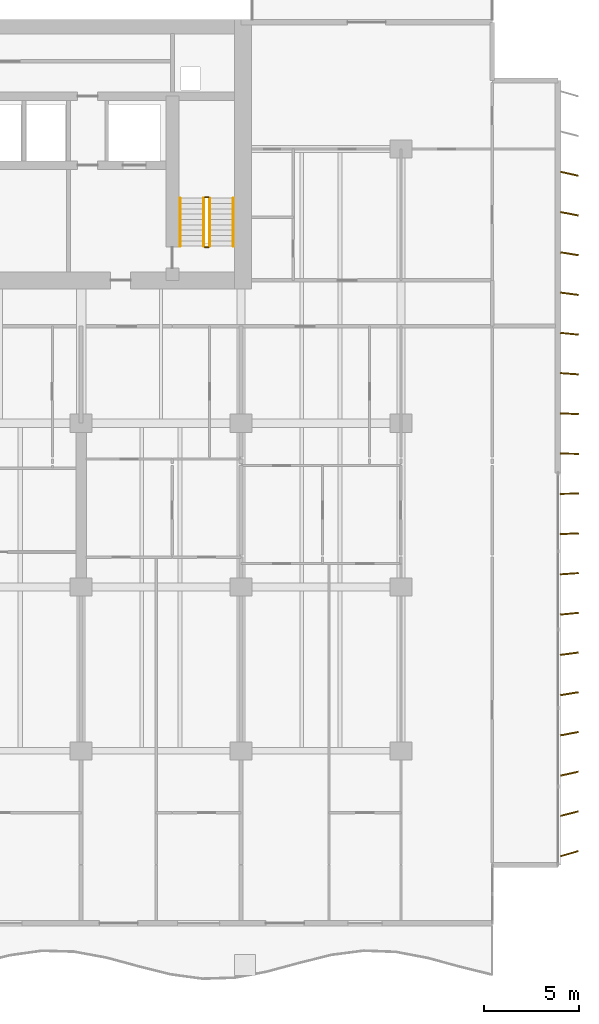
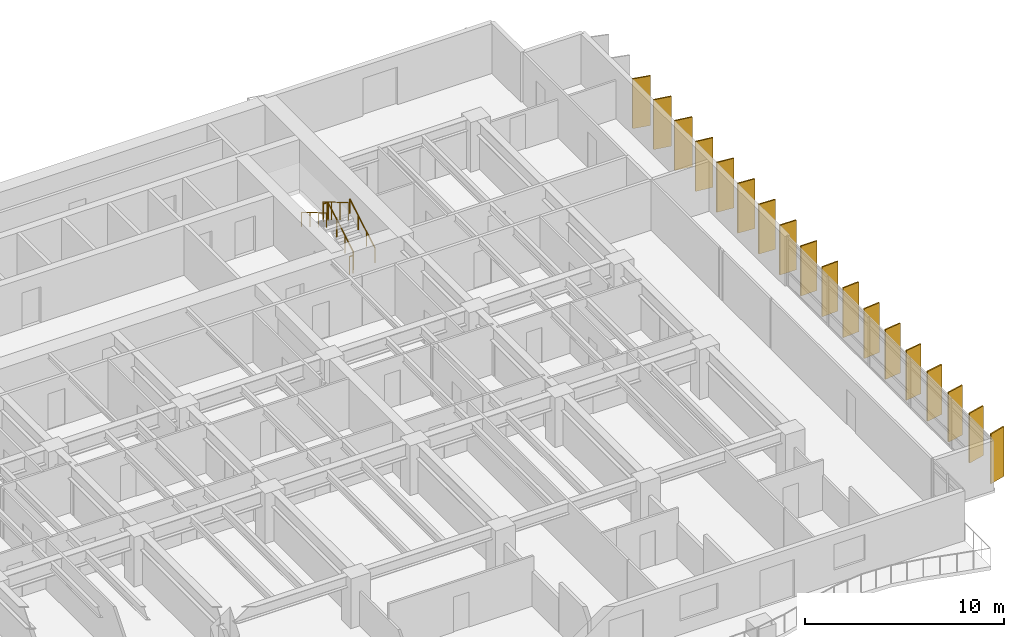
# One storey, part 16 of 17: 18 shading devices, 6 railings.
"""IFC4 building model written with IfcOpenShell, lengths in metres."""

from ifc_helpers import new_model, si_unit, direction, frame, origin, origin_2d, place, context, subcontext, project, spatial, rectangle, circle, extrude, material, material_profile, profile_set, type_object, element, save


model = new_model("IFC4")

# Units and contexts
model_context = context("Model", 3, precision=1e-05, world=origin(), true_north=direction((0.0, 1.0)))
body_context = subcontext(model_context, "Body", "Model", "MODEL_VIEW")
ifc_project = project(units=[si_unit("LENGTHUNIT", "METRE"), si_unit("AREAUNIT", "SQUARE_METRE"), si_unit("VOLUMEUNIT", "CUBIC_METRE"), si_unit("PLANEANGLEUNIT", "RADIAN"), si_unit("MASSUNIT", "GRAM", prefix="KILO")], contexts=[model_context])

# Site, building, storey
site_placement = place(None, origin())
site = spatial("IfcSite", under=ifc_project, at=site_placement, CompositionType="ELEMENT")
building_placement = place(site_placement, origin())
building = spatial("IfcBuilding", under=site, at=building_placement, Name="Caelmar Bay Residences", CompositionType="ELEMENT")
storey_placement = place(building_placement, frame((0.0, 0.0, 33.300048828125)))
storey = spatial("IfcBuildingStorey", under=building, at=storey_placement, Name="L07", CompositionType="ELEMENT", Elevation=33.300048828125)

# Railings
ifc_material_1 = material(Name="Painted galvanized steel stair guard 1100 mm", Category="steel")
railing_type_1 = type_object("IfcRailingType", Name="RL-GRD-1100", PredefinedType="GUARDRAIL", material=ifc_material_1)
railing_1_placement = place(storey_placement, frame((57.85009765625, 38.699951171875, 0.1650390625)))
element("IfcRailing", 1, at=railing_1_placement, inside=storey, type_object=railing_type_1, Name="L07 ST2 stair guard 1", PredefinedType="GUARDRAIL", context=body_context, shape_type="SweptSolid", body=[
    extrude(circle(Radius=0.02392578125, at=origin_2d()), frame((0.0, 0.0, 1.076171875), z_axis=(0.0, 0.861560626758, 0.507654692109), x_axis=(-1.0, 0.0, 0.0)), (0.0, 0.0, 1.0), 2.925048828125),
    extrude(circle(Radius=0.02099609375, at=origin_2d()), origin(), (0.0, 0.0, 1.0), 1.052001953125),
    extrude(circle(Radius=0.02099609375, at=origin_2d()), frame((0.0, 0.840087890625, 0.494873046875)), (0.0, 0.0, 1.0), 1.052001953125),
    extrude(circle(Radius=0.02099609375, at=origin_2d()), frame((0.0, 1.679931640625, 0.989990234375)), (0.0, 0.0, 1.0), 1.052001953125),
    extrude(circle(Radius=0.02099609375, at=origin_2d()), frame((0.0, 2.52001953125, 1.48486328125)), (0.0, 0.0, 1.0), 1.052001953125),
])
railing_2_placement = place(storey_placement, frame((57.800048828125, 41.27001953125, 1.64990234375)))
element("IfcRailing", 2, at=railing_2_placement, inside=storey, type_object=railing_type_1, Name="L07 ST2 stair guard 2", PredefinedType="GUARDRAIL", context=body_context, shape_type="SweptSolid", body=[
    extrude(circle(Radius=0.02392578125, at=origin_2d()), frame((0.0, 0.0, 1.076171875), z_axis=(-1.0, 0.0, 0.0), x_axis=(0.0, -1.0, 0.0)), (0.0, 0.0, 1.0), 0.199951171875),
    extrude(circle(Radius=0.02099609375, at=origin_2d()), origin(), (0.0, 0.0, 1.0), 1.052001953125),
    extrude(circle(Radius=0.02099609375, at=origin_2d()), frame((-0.199951171875, 0.0, 0.0)), (0.0, 0.0, 1.0), 1.052001953125),
])
railing_3_placement = place(storey_placement, frame((57.550048828125, 41.219970703125, 1.81494140625)))
element("IfcRailing", 3, at=railing_3_placement, inside=storey, type_object=railing_type_1, Name="L07 ST2 stair guard 3", PredefinedType="GUARDRAIL", context=body_context, shape_type="SweptSolid", body=[
    extrude(circle(Radius=0.02392578125, at=origin_2d()), frame((0.0, 0.0, 1.076171875), z_axis=(0.0, -0.86152411907, 0.507716645641), x_axis=(1.0, 0.0, 0.0)), (0.0, 0.0, 1.0), 2.925048828125),
    extrude(circle(Radius=0.02099609375, at=origin_2d()), origin(), (0.0, 0.0, 1.0), 1.052001953125),
    extrude(circle(Radius=0.02099609375, at=origin_2d()), frame((0.0, -0.840087890625, 0.4951171875)), (0.0, 0.0, 1.0), 1.052001953125),
    extrude(circle(Radius=0.02099609375, at=origin_2d()), frame((0.0, -1.679931640625, 0.989990234375)), (0.0, 0.0, 1.0), 1.052001953125),
    extrude(circle(Radius=0.02099609375, at=origin_2d()), frame((0.0, -2.52001953125, 1.485107421875)), (0.0, 0.0, 1.0), 1.052001953125),
])
railing_4_placement = place(storey_placement, frame((57.800048828125, 38.64990234375, 0.0)))
element("IfcRailing", 4, at=railing_4_placement, inside=storey, type_object=railing_type_1, Name="L07 ST2 stair guard 4", PredefinedType="GUARDRAIL", context=body_context, shape_type="SweptSolid", body=[
    extrude(circle(Radius=0.02392578125, at=origin_2d()), frame((0.0, 0.0, 1.076171875), z_axis=(-1.0, 0.0, 0.0), x_axis=(0.0, -1.0, 0.0)), (0.0, 0.0, 1.0), 0.199951171875),
    extrude(circle(Radius=0.02099609375, at=origin_2d()), origin(), (0.0, 0.0, 1.0), 1.052001953125),
    extrude(circle(Radius=0.02099609375, at=origin_2d()), frame((-0.199951171875, 0.0, 0.0)), (0.0, 0.0, 1.0), 1.052001953125),
])
ifc_material_2 = material(Name="Brushed bronze stainless-steel tubular handrail 900 mm", Category="steel")
railing_type_2 = type_object("IfcRailingType", Name="RL-HND-900", PredefinedType="HANDRAIL", material=ifc_material_2)
railing_5_placement = place(storey_placement, frame((59.10009765625, 38.699951171875, 0.1650390625)))
element("IfcRailing", 5, at=railing_5_placement, inside=storey, type_object=railing_type_2, Name="L07 ST2 stair handrail 1", PredefinedType="HANDRAIL", context=body_context, shape_type="SweptSolid", body=[
    extrude(circle(Radius=0.02392578125, at=origin_2d()), frame((0.0, 0.0, 0.8759765625), z_axis=(0.0, 0.861560626758, 0.507654692109), x_axis=(-1.0, 0.0, 0.0)), (0.0, 0.0, 1.0), 2.925048828125),
    extrude(circle(Radius=0.02099609375, at=origin_2d()), origin(), (0.0, 0.0, 1.0), 0.851806640625),
    extrude(circle(Radius=0.02099609375, at=origin_2d()), frame((0.0, 0.840087890625, 0.494873046875)), (0.0, 0.0, 1.0), 0.851806640625),
    extrude(circle(Radius=0.02099609375, at=origin_2d()), frame((0.0, 1.679931640625, 0.989990234375)), (0.0, 0.0, 1.0), 0.851806640625),
    extrude(circle(Radius=0.02099609375, at=origin_2d()), frame((0.0, 2.52001953125, 1.48486328125)), (0.0, 0.0, 1.0), 0.851806640625),
])
railing_6_placement = place(storey_placement, frame((56.300048828125, 41.219970703125, 1.81494140625)))
element("IfcRailing", 6, at=railing_6_placement, inside=storey, type_object=railing_type_2, Name="L07 ST2 stair handrail 2", PredefinedType="HANDRAIL", context=body_context, shape_type="SweptSolid", body=[
    extrude(circle(Radius=0.02392578125, at=origin_2d()), frame((0.0, 0.0, 0.8759765625), z_axis=(0.0, -0.86152411907, 0.507716645641), x_axis=(1.0, 0.0, 0.0)), (0.0, 0.0, 1.0), 2.925048828125),
    extrude(circle(Radius=0.02099609375, at=origin_2d()), origin(), (0.0, 0.0, 1.0), 0.851806640625),
    extrude(circle(Radius=0.02099609375, at=origin_2d()), frame((0.0, -0.840087890625, 0.4951171875)), (0.0, 0.0, 1.0), 0.851806640625),
    extrude(circle(Radius=0.02099609375, at=origin_2d()), frame((0.0, -1.679931640625, 0.989990234375)), (0.0, 0.0, 1.0), 0.851806640625),
    extrude(circle(Radius=0.02099609375, at=origin_2d()), frame((0.0, -2.52001953125, 1.485107421875)), (0.0, 0.0, 1.0), 0.851806640625),
])

# Shading devices
ifc_material_3 = material(Name="Anodised architectural bronze aluminium 6063-T6", Category="aluminium")
ifc_material_profile = material_profile(ifc_material_3, rectangle(XDim=0.074951171875, YDim=0.949951171875, at=origin_2d()), Name="BRONZE-FIN-75X950")
ifc_profile_set = profile_set([ifc_material_profile], Name="Anodised architectural bronze aluminium 6063-T6")
shading_device_type = type_object("IfcShadingDeviceType", Name="SHD-FIN-950", PredefinedType="USERDEFINED", material=ifc_profile_set)
for number, where, z_axis, x_axis, name in (
    (7, (76.75, 6.800048828125, 0.0), (0.0, 0.0, 1.0), (-0.275637355817, 0.961261695938, 0.0), "L07 East Bronze Solar Fin 1"),
    (8, (76.75, 8.89990234375, 0.0), (0.0, 0.0, 1.0), (-0.247337247968, 0.968929453452, 0.0), "L07 East Bronze Solar Fin 2"),
    (9, (76.75, 11.0, 0.0), (0.0, 0.0, 1.0), (-0.218654200292, 0.975802408633, 0.0), "L07 East Bronze Solar Fin 3"),
    (10, (76.75, 13.10009765625, 0.0), (0.0, 0.0, 1.0), (-0.189952291512, 0.981793321911, 0.0), "L07 East Bronze Solar Fin 4"),
    (11, (76.75, 15.199951171875, 0.0), (0.0, 0.0, 1.0), (-0.160914826518, 0.986968296657, 0.0), "L07 East Bronze Solar Fin 5"),
    (12, (76.75, 17.300048828125, 0.0), (0.0, 0.0, 1.0), (-0.131910382711, 0.991261646052, 0.0), "L07 East Bronze Solar Fin 6"),
    (13, (76.75, 19.39990234375, 0.0), (0.0, 0.0, 1.0), (-0.10261892683, 0.994720742649, 0.0), "L07 East Bronze Solar Fin 7"),
    (14, (76.75, 21.5, 0.0), (0.0, 0.0, 1.0), (-0.073412260224, 0.997301679558, 0.0), "L07 East Bronze Solar Fin 8"),
    (15, (76.75, 23.60009765625, 0.0), (0.0, 0.0, 1.0), (-0.044142481788, 0.999025245578, 0.0), "L07 East Bronze Solar Fin 9"),
    (16, (76.75, 25.699951171875, 0.0), (0.0, 0.0, 1.0), (-0.01466024053, 0.999892532899, 0.0), "L07 East Bronze Solar Fin 10"),
    (17, (76.75, 27.800048828125, 0.0), (0.0, 0.0, 1.0), (0.01466024053, 0.999892532899, 0.0), "L07 East Bronze Solar Fin 11"),
    (18, (76.75, 29.89990234375, 0.0), (0.0, 0.0, 1.0), (0.044142481788, 0.999025245578, 0.0), "L07 East Bronze Solar Fin 12"),
    (19, (76.75, 32.0, 0.0), (0.0, 0.0, 1.0), (0.073412260224, 0.997301679558, 0.0), "L07 East Bronze Solar Fin 13"),
    (20, (76.75, 34.10009765625, 0.0), (0.0, 0.0, 1.0), (0.10261892683, 0.994720742649, 0.0), "L07 East Bronze Solar Fin 14"),
    (21, (76.75, 36.199951171875, 0.0), (0.0, 0.0, 1.0), (0.131910382711, 0.991261646052, 0.0), "L07 East Bronze Solar Fin 15"),
    (22, (76.75, 38.300048828125, 0.0), (0.0, 0.0, 1.0), (0.160914826518, 0.986968296657, 0.0), "L07 East Bronze Solar Fin 16"),
    (23, (76.75, 40.39990234375, 0.0), (0.0, 0.0, 1.0), (0.189952291512, 0.981793321911, 0.0), "L07 East Bronze Solar Fin 17"),
    (24, (76.75, 42.5, 0.0), (0.0, 0.0, 1.0), (0.218654200292, 0.975802408633, 0.0), "L07 East Bronze Solar Fin 18"),
):
    element("IfcShadingDevice", number, at=place(storey_placement, frame(where, z_axis=z_axis, x_axis=x_axis)), inside=storey, type_object=shading_device_type, Name=name, ObjectType="FIN", PredefinedType="USERDEFINED", context=body_context, shape_type="SweptSolid", body=[
        extrude(rectangle(XDim=0.074951171875, YDim=0.949951171875, at=origin_2d()), origin(), (0.0, 0.0, 1.0), 3.050048828125),
    ])

save(model, "model.ifc")
